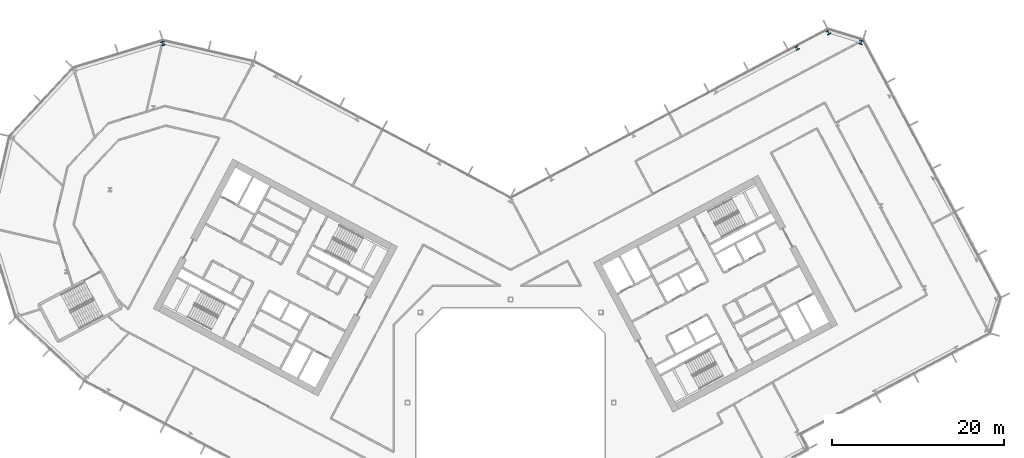
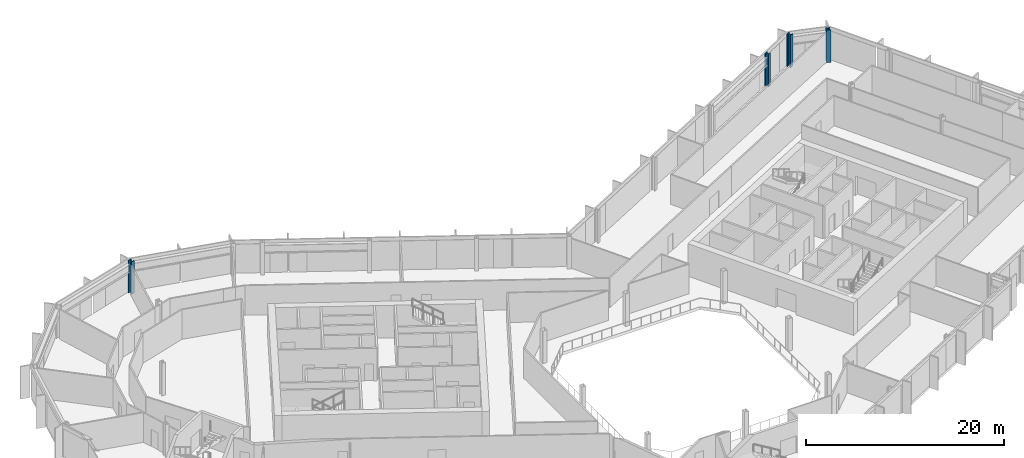
# One storey, part 8 of 28: 4 columns.
"""IFC4 building model written with IfcOpenShell, lengths in metres."""

import ifcopenshell
import ifcopenshell.guid

model = None  # the IFC model being written
_history = None  # IfcOwnerHistory: only IFC2X3 demands one
_inside = {}  # id of a spatial element -> (the spatial element, [elements in it])
_under = {}  # id of a project, library or spatial element -> (it, [spatial elements below it])
_declared = {}  # id of a project -> (the project, [libraries it declares])
_typed = {}  # id of a type object -> (the type object, [elements of that type])
_made_of = {}  # id of a material, layer set ... -> (it, [elements and type objects made of it])


def new_model(schema):
    """Start an empty IFC model of exactly this schema.

    Asked for "IFC4X3", IfcOpenShell would pick the latest addendum, in which some entities
    have other attributes; the version numbers below select the first issue.
    IFC2X3 requires an IfcOwnerHistory on every rooted entity: one is made here for all.
    """
    global model, _history
    if schema == "IFC4X3":
        model = ifcopenshell.file(schema_version=(4, 3, 0, 0))
    else:
        model = ifcopenshell.file(schema=schema)
    _inside.clear()
    _under.clear()
    _declared.clear()
    _typed.clear()
    _made_of.clear()
    _history = None
    if model.schema == "IFC2X3":
        org = make("IfcOrganization", Name="unknown")
        user = make(
            "IfcPersonAndOrganization",
            ThePerson=make("IfcPerson", FamilyName="unknown"),
            TheOrganization=org,
        )
        app = make(
            "IfcApplication",
            ApplicationDeveloper=org,
            Version="unknown",
            ApplicationFullName="unknown",
            ApplicationIdentifier="unknown",
        )
        _history = make(
            "IfcOwnerHistory",
            OwningUser=user,
            OwningApplication=app,
            ChangeAction="ADDED",
            CreationDate=0,
        )
    return model


def make(cls, **values):
    """One entity of the class cls with the attributes given. An attribute that is None is left unset."""
    return model.create_entity(
        cls, **{name: value for name, value in values.items() if value is not None}
    )


def rooted(cls, **values):
    """An entity with a GlobalId (a new one), such as an element, a storey or a relation."""
    return make(cls, GlobalId=ifcopenshell.guid.new(), OwnerHistory=_history, **values)


def si_unit(unit_type, name, prefix=None):
    """IfcSIUnit, for example si_unit("LENGTHUNIT", "METRE", prefix="MILLI")."""
    return make("IfcSIUnit", UnitType=unit_type, Prefix=prefix, Name=name)


def assignment(units):
    """IfcUnitAssignment: the units of a project."""
    return None if units is None else make("IfcUnitAssignment", Units=units)


def point(xyz):
    """IfcCartesianPoint."""
    return None if xyz is None else make("IfcCartesianPoint", Coordinates=xyz)


def direction(xyz):
    """IfcDirection."""
    return None if xyz is None else make("IfcDirection", DirectionRatios=xyz)


def frame(location, z_axis=None, x_axis=None):
    """IfcAxis2Placement3D, a coordinate frame: its origin and axes. An axis left out is left unset."""
    return make(
        "IfcAxis2Placement3D",
        Location=point(location),
        Axis=direction(z_axis),
        RefDirection=direction(x_axis),
    )


def frame_2d(location, x_axis=None):
    """IfcAxis2Placement2D, a coordinate frame in the plane: its origin and x axis."""
    return make(
        "IfcAxis2Placement2D", Location=point(location), RefDirection=direction(x_axis)
    )


def origin():
    """The frame at (0, 0, 0) with its axes left unset."""
    return frame((0.0, 0.0, 0.0))


def origin_2d():
    """The frame at (0, 0) in the plane with its x axis left unset."""
    return frame_2d((0.0, 0.0))


def place(relative_to, where):
    """IfcLocalPlacement: puts the frame where relative to a parent placement (None: the world)."""
    return make(
        "IfcLocalPlacement", PlacementRelTo=relative_to, RelativePlacement=where
    )


def context(
    kind, dimensions, precision=None, world=None, true_north=None, identifier=None
):
    """IfcGeometricRepresentationContext, for example the 3D "Model" context."""
    return make(
        "IfcGeometricRepresentationContext",
        ContextIdentifier=identifier,
        ContextType=kind,
        CoordinateSpaceDimension=dimensions,
        Precision=precision,
        WorldCoordinateSystem=world,
        TrueNorth=true_north,
    )


def subcontext(parent, identifier, kind, view, scale=None):
    """IfcGeometricRepresentationSubContext, for example "Body" below "Model"."""
    return make(
        "IfcGeometricRepresentationSubContext",
        ContextIdentifier=identifier,
        ContextType=kind,
        ParentContext=parent,
        TargetScale=scale,
        TargetView=view,
    )


def project(units=None, contexts=None):
    """IfcProject with its units and contexts."""
    return rooted(
        "IfcProject",
        Name="project",
        RepresentationContexts=contexts,
        UnitsInContext=assignment(units),
    )


def spatial(cls, under=None, at=None, **own):
    """A site, building, storey or space (cls), placed at a placement, below another one or the project."""
    s = rooted(cls, ObjectPlacement=at, **own)
    if under is not None:
        _under.setdefault(under.id(), (under, []))[1].append(s)
    return s


def profile(cls, at=None, kind="AREA", **sizes):
    """A parametric profile (cls). Its sizes go by their IFC names, for example OverallWidth=200.0."""
    return make(cls, ProfileType=kind, Position=at, **sizes)


def i_section(**sizes):
    """IfcIShapeProfileDef."""
    return profile("IfcIShapeProfileDef", **sizes)


def extrude(swept, where, along, depth):
    """IfcExtrudedAreaSolid: the profile swept, set in the frame where, extruded along a direction by depth."""
    return make(
        "IfcExtrudedAreaSolid",
        SweptArea=swept,
        Position=where,
        ExtrudedDirection=direction(along),
        Depth=depth,
    )


def shape(context_of_items, identifier, shape_type, items):
    """IfcShapeRepresentation: the items that make up one representation, for example the "Body"."""
    return make(
        "IfcShapeRepresentation",
        ContextOfItems=context_of_items,
        RepresentationIdentifier=identifier,
        RepresentationType=shape_type,
        Items=items,
    )


def material(Name=None, Category=None):
    """IfcMaterial."""
    return make("IfcMaterial", Name=Name, Category=Category)


def material_profile(
    of_material, cross_section, Name=None, Category=None, Priority=None
):
    """IfcMaterialProfile: a cross section and its material."""
    return make(
        "IfcMaterialProfile",
        Name=Name,
        Material=of_material,
        Profile=cross_section,
        Priority=Priority,
        Category=Category,
    )


def profile_set(profiles, Name=None, composite=None):
    """IfcMaterialProfileSet."""
    return make(
        "IfcMaterialProfileSet",
        Name=Name,
        MaterialProfiles=profiles,
        CompositeProfile=composite,
    )


def made_of(thing, what):
    """Note that an element or type object is made of a material, layer set ...; save() writes the relation."""
    if what is not None:
        _made_of.setdefault(what.id(), (what, []))[1].append(thing)
    return thing


def type_object(cls, material=None, **own):
    """A type object (cls), such as IfcWallType, which elements share."""
    return made_of(rooted(cls, **own), material)


def element(
    cls,
    number,
    at=None,
    inside=None,
    cuts=None,
    type_object=None,
    material=None,
    context=None,
    identifier="Body",
    shape_type=None,
    held_by="IfcProductDefinitionShape",
    body=None,
    shapes=None,
    **own,
):
    """One element of the class cls, such as IfcWall. Its Tag is "e" and its number.

    at: its placement. inside: the storey or other place that contains it. cuts: it is an
    opening in that element (IfcRelVoidsElement). A single representation is given by context,
    identifier, shape_type and body (its items); several are given by shapes. held_by: the class
    of the entity that holds the representations. save() writes the other relations.
    """
    e = rooted(cls, Tag="e%d" % number, ObjectPlacement=at, **own)
    if body is not None:
        shapes = [shape(context, identifier, shape_type, body)]
    if shapes is not None:
        e.Representation = make(held_by, Representations=shapes)
    if inside is not None:
        _inside.setdefault(inside.id(), (inside, []))[1].append(e)
    if cuts is not None:
        rooted(
            "IfcRelVoidsElement", RelatingBuildingElement=cuts, RelatedOpeningElement=e
        )
    if type_object is not None:
        _typed.setdefault(type_object.id(), (type_object, []))[1].append(e)
    return made_of(e, material)


def aggregate(whole, parts):
    """IfcRelAggregates: a whole, such as a stair, and the parts it consists of."""
    return rooted("IfcRelAggregates", RelatingObject=whole, RelatedObjects=parts)


def save(model, path):
    """Write the relations noted so far, then the file.

    IfcRelAggregates (storeys below a building ...), IfcRelContainedInSpatialStructure (elements
    in a storey), IfcRelDefinesByType, IfcRelAssociatesMaterial and IfcRelDeclares: one each for
    every whole, place, type object, material and project.
    """
    for whole, parts in _under.values():
        aggregate(whole, parts)
    for where, things in _inside.values():
        rooted(
            "IfcRelContainedInSpatialStructure",
            RelatedElements=things,
            RelatingStructure=where,
        )
    for kind, things in _typed.values():
        rooted("IfcRelDefinesByType", RelatedObjects=things, RelatingType=kind)
    for what, things in _made_of.values():
        rooted("IfcRelAssociatesMaterial", RelatedObjects=things, RelatingMaterial=what)
    for by, libraries in _declared.values():
        rooted("IfcRelDeclares", RelatingContext=by, RelatedDefinitions=libraries)
    model.write(path)


model = new_model("IFC4")

# Units and contexts
model_context = context("Model", 3, precision=1e-05, world=origin(), true_north=direction((0.0, 1.0)))
body_context = subcontext(model_context, "Body", "Model", "MODEL_VIEW")
ifc_project = project(units=[si_unit("LENGTHUNIT", "METRE"), si_unit("AREAUNIT", "SQUARE_METRE"), si_unit("VOLUMEUNIT", "CUBIC_METRE"), si_unit("PLANEANGLEUNIT", "RADIAN"), si_unit("MASSUNIT", "GRAM", prefix="KILO")], contexts=[model_context])

# Site, building, storey
site_placement = place(None, origin())
site = spatial("IfcSite", under=ifc_project, at=site_placement, CompositionType="ELEMENT")
building_placement = place(site_placement, origin())
building = spatial("IfcBuilding", under=site, at=building_placement, Name="Cormorant Relay Tower", CompositionType="ELEMENT")
storey_placement = place(building_placement, frame((0.0, 0.0, 146.199951171875)))
storey = spatial("IfcBuildingStorey", under=building, at=storey_placement, Name="L30", CompositionType="ELEMENT", Elevation=146.199951171875)

# Columns
ifc_material_1 = material(Name="Steel ASTM A992 (Fy 345 MPa)", Category="steel")
ifc_material_profile_1 = material_profile(ifc_material_1, i_section(OverallWidth=0.41162109375, OverallDepth=0.434326171875, WebThickness=0.035888671875, FlangeThickness=0.057373046875, FilletRadius=0.01513671875, at=origin_2d()), Name="W360x463")
ifc_profile_set_1 = profile_set([ifc_material_profile_1], Name="Steel ASTM A992 (Fy 345 MPa)")
column_type_1 = type_object("IfcColumnType", Name="Column W360x463", PredefinedType="COLUMN", material=ifc_profile_set_1)
column_placement = place(storey_placement, frame((33.33203125, 41.258056640625, 0.0), z_axis=(0.0, 0.0, 1.0), x_axis=(-0.882947592859, -0.469471562786, 0.0)))
element("IfcColumn", 1, at=column_placement, inside=storey, type_object=column_type_1, Name="Column L30-047", PredefinedType="COLUMN", context=body_context, shape_type="SweptSolid", body=[
    extrude(i_section(OverallWidth=0.41162109375, OverallDepth=0.434326171875, WebThickness=0.035888671875, FlangeThickness=0.057373046875, FilletRadius=0.01513671875, at=origin_2d()), origin(), (0.0, 0.0, 1.0), 4.0),
])
ifc_material_2 = material(Name="Steel ASTM A992 (Fy 345 MPa)", Category="steel")
ifc_material_profile_2 = material_profile(ifc_material_2, i_section(OverallWidth=0.42431640625, OverallDepth=0.47509765625, WebThickness=0.0478515625, FlangeThickness=0.0771484375, FilletRadius=0.014892578125, at=origin_2d()), Name="W360x634")
ifc_profile_set_2 = profile_set([ifc_material_profile_2], Name="Steel ASTM A992 (Fy 345 MPa)")
column_type_2 = type_object("IfcColumnType", Name="Column W360x634", PredefinedType="COLUMN", material=ifc_profile_set_2)
for number, where, z_axis, x_axis, name in (
    (2, (-40.4541015625, 41.783935546875, 0.0), (0.0, 0.0, 1.0), (-0.956304755963, -0.292371704723, 0.0), "Column L30-048"),
    (3, (40.77197265625, 41.9130859375, 0.0), (0.0, 0.0, 1.0), (-0.956304755963, 0.292371704723, 0.0), "Column L30-049"),
    (4, (36.970947265625, 43.075927734375, 0.0), (0.0, 0.0, 1.0), (-0.882947592859, -0.469471562786, 0.0), "Column L30-050"),
):
    element("IfcColumn", number, at=place(storey_placement, frame(where, z_axis=z_axis, x_axis=x_axis)), inside=storey, type_object=column_type_2, Name=name, PredefinedType="COLUMN", context=body_context, shape_type="SweptSolid", body=[
        extrude(i_section(OverallWidth=0.42431640625, OverallDepth=0.47509765625, WebThickness=0.0478515625, FlangeThickness=0.0771484375, FilletRadius=0.014892578125, at=origin_2d()), origin(), (0.0, 0.0, 1.0), 4.0),
    ])

save(model, "model.ifc")
